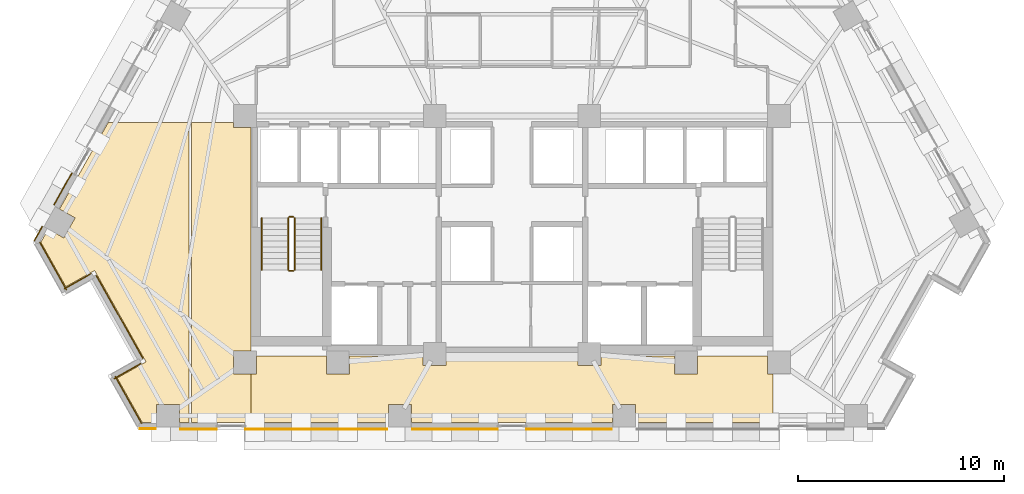
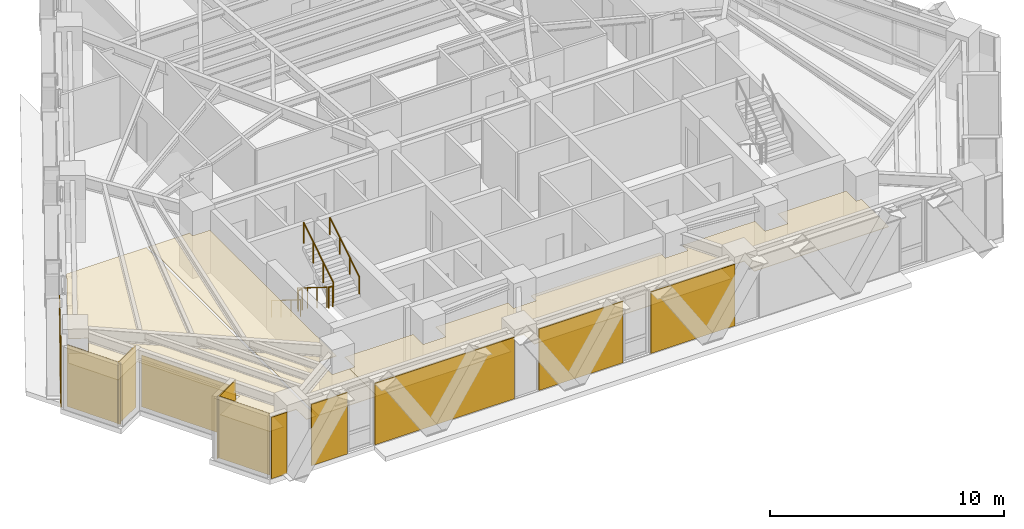
# One storey, part 10 of 13: 15 coverings, 6 railings.
"""IFC4 building model written with IfcOpenShell, lengths in metres."""

from ifc_helpers import new_model, si_unit, direction, frame, origin, origin_2d, place, context, subcontext, project, spatial, polyline, circle, outline, extrude, material, layer, layer_set, type_object, element, save


model = new_model("IFC4")

# Units and contexts
model_context = context("Model", 3, precision=1e-05, world=origin(), true_north=direction((0.0, 1.0)))
body_context = subcontext(model_context, "Body", "Model", "MODEL_VIEW")
ifc_project = project(units=[si_unit("LENGTHUNIT", "METRE"), si_unit("AREAUNIT", "SQUARE_METRE"), si_unit("VOLUMEUNIT", "CUBIC_METRE"), si_unit("PLANEANGLEUNIT", "RADIAN"), si_unit("MASSUNIT", "GRAM", prefix="KILO")], contexts=[model_context])

# Site, building, storey
site_placement = place(None, origin())
site = spatial("IfcSite", under=ifc_project, at=site_placement, CompositionType="ELEMENT")
building_placement = place(site_placement, origin())
building = spatial("IfcBuilding", under=site, at=building_placement, Name="Quenlor Broadcast Tower", CompositionType="ELEMENT")
storey_placement = place(building_placement, frame((0.0, 0.0, 76.60009765625)))
storey = spatial("IfcBuildingStorey", under=building, at=storey_placement, Name="L20", CompositionType="ELEMENT", Elevation=76.60009765625)

# Coverings
ifc_material_1 = material(Name="Acoustic Mineral Fibre Board", Category="other")
ifc_layer_1 = layer(ifc_material_1, 0.02490234375)
ifc_layer_set_1 = layer_set([ifc_layer_1], Name="Acoustic Perforated Mineral Tile Ceiling 25")
covering_type_1 = type_object("IfcCoveringType", Name="Acoustic Perforated Mineral Tile Ceiling 25", PredefinedType="CEILING", material=ifc_layer_set_1)
covering_1_placement = place(storey_placement, frame((0.0, 0.0, 2.224853515625)))
element("IfcCovering", 1, at=covering_1_placement, inside=storey, type_object=covering_type_1, Name="L20 Acoustic Ceiling L20-38-3", PredefinedType="CEILING", context=body_context, shape_type="SweptSolid", body=[
    extrude(outline(polyline([(-22.85693359375, -10.927978515625), (-22.49853515625, -10.290771484375), (-21.741943359375, -10.71630859375), (-21.19482421875, -9.74365234375), (-21.951416015625, -9.318115234375), (-19.58984375, -5.1201171875), (-15.659912109375, -5.1201171875), (-15.659912109375, -19.659912109375), (-16.134521484375, -19.659912109375), (-16.134521484375, -18.7919921875), (-17.25048828125, -18.7919921875), (-17.25048828125, -19.659912109375), (-17.9453125, -19.659912109375), (-19.15380859375, -17.510986328125), (-17.759521484375, -16.7265625), (-20.25, -12.299072265625), (-21.64453125, -13.08349609375), (-22.85693359375, -10.927978515625)])), origin(), (0.0, 0.0, 1.0), 0.025146484375),
])
covering_2_placement = place(storey_placement, frame((0.0, 0.0, 2.224853515625)))
element("IfcCovering", 2, at=covering_2_placement, inside=storey, type_object=covering_type_1, Name="L20 Acoustic Ceiling L20-38-4", PredefinedType="CEILING", context=body_context, shape_type="SweptSolid", body=[
    extrude(outline(polyline([(-13.508056640625, -5.35791015625), (-12.64990234375, -5.35791015625), (-12.64990234375, -16.19189453125), (-13.508056640625, -16.19189453125), (-13.508056640625, -17.30810546875), (-12.64990234375, -17.30810546875), (-12.64990234375, -19.659912109375), (-15.5400390625, -19.659912109375), (-15.5400390625, -5.1201171875), (-13.508056640625, -5.1201171875), (-13.508056640625, -5.35791015625)])), origin(), (0.0, 0.0, 1.0), 0.025146484375),
])
covering_3_placement = place(storey_placement, frame((0.0, 0.0, 2.224853515625)))
element("IfcCovering", 3, at=covering_3_placement, inside=storey, type_object=covering_type_1, Name="L20 Acoustic Ceiling L20-38-7", PredefinedType="CEILING", context=body_context, shape_type="SweptSolid", body=[
    extrude(outline(polyline([(-12.39208984375, -17.30810546875), (-12.39208984375, -16.449951171875), (-9.008056640625, -16.449951171875), (-9.008056640625, -17.30810546875), (-7.89208984375, -17.30810546875), (-7.89208984375, -16.449951171875), (-4.30810546875, -16.449951171875), (-4.30810546875, -16.907958984375), (-3.19189453125, -16.907958984375), (-3.19189453125, -16.449951171875), (3.19189453125, -16.449951171875), (3.19189453125, -16.907958984375), (4.30810546875, -16.907958984375), (4.30810546875, -16.449951171875), (7.89208984375, -16.449951171875), (7.89208984375, -17.30810546875), (9.008056640625, -17.30810546875), (9.008056640625, -16.449951171875), (12.39208984375, -16.449951171875), (12.39208984375, -17.30810546875), (12.64990234375, -17.30810546875), (12.64990234375, -19.659912109375), (6.001220703125, -19.659912109375), (6.001220703125, -18.7919921875), (4.88525390625, -18.7919921875), (4.88525390625, -19.659912109375), (-4.88525390625, -19.659912109375), (-4.88525390625, -18.7919921875), (-6.001220703125, -18.7919921875), (-6.001220703125, -19.659912109375), (-12.64990234375, -19.659912109375), (-12.64990234375, -17.30810546875), (-12.39208984375, -17.30810546875)])), origin(), (0.0, 0.0, 1.0), 0.025146484375),
])
ifc_material_2 = material(Name="Architectural Terracotta Ceramic", Category="masonry")
ifc_layer_2 = layer(ifc_material_2, 0.044921875)
ifc_layer_set_2 = layer_set([ifc_layer_2], Name="Fluted Terracotta Rainscreen Cladding Panel")
covering_type_2 = type_object("IfcCoveringType", Name="Fluted Terracotta Rainscreen Cladding Panel", PredefinedType="CLADDING", material=ifc_layer_set_2)
covering_4_placement = place(storey_placement, frame((0.0, 0.0, 0.02001953125)))
element("IfcCovering", 4, at=covering_4_placement, inside=storey, type_object=covering_type_2, Name="L20 Terracotta Rainscreen Cladding L20-SHD-SS1", PredefinedType="CLADDING", context=body_context, shape_type="SweptSolid", body=[
    extrude(outline(polyline([(-17.277587890625, -19.951904296875), (-18.053955078125, -19.951904296875), (-18.053955078125, -19.9970703125), (-17.277587890625, -19.9970703125), (-17.277587890625, -19.951904296875)])), origin(), (0.0, 0.0, 1.0), 3.2099609375),
])
covering_5_placement = place(storey_placement, frame((0.0, 0.0, 0.02001953125)))
element("IfcCovering", 5, at=covering_5_placement, inside=storey, type_object=covering_type_2, Name="L20 Terracotta Rainscreen Cladding L20-SC-SP1", PredefinedType="CLADDING", context=body_context, shape_type="SweptSolid", body=[
    extrude(outline(polyline([(-6.048095703125, -19.971923828125), (-12.94873046875, -19.971923828125), (-12.94873046875, -20.01708984375), (-6.048095703125, -20.01708984375), (-6.048095703125, -19.971923828125)])), origin(), (0.0, 0.0, 1.0), 3.2099609375),
])
covering_6_placement = place(storey_placement, frame((0.0, 0.0, 0.02001953125)))
element("IfcCovering", 6, at=covering_6_placement, inside=storey, type_object=covering_type_2, Name="L20 Terracotta Rainscreen Cladding L20-SC-SP2", PredefinedType="CLADDING", context=body_context, shape_type="SweptSolid", body=[
    extrude(outline(polyline([(-14.32177734375, -19.971923828125), (-16.08740234375, -19.971923828125), (-16.08740234375, -20.01708984375), (-14.32177734375, -20.01708984375), (-14.32177734375, -19.971923828125)])), origin(), (0.0, 0.0, 1.0), 3.2099609375),
])
covering_7_placement = place(storey_placement, frame((0.0, 0.0, 0.02001953125)))
element("IfcCovering", 7, at=covering_7_placement, inside=storey, type_object=covering_type_2, Name="L20 Terracotta Rainscreen Cladding L20-S-SP1", PredefinedType="CLADDING", context=body_context, shape_type="SweptSolid", body=[
    extrude(outline(polyline([(4.84326171875, -19.971923828125), (0.6865234375, -19.971923828125), (0.6865234375, -20.01708984375), (4.84326171875, -20.01708984375), (4.84326171875, -19.971923828125)])), origin(), (0.0, 0.0, 1.0), 3.2099609375),
])
covering_8_placement = place(storey_placement, frame((0.0, 0.0, 0.02001953125)))
element("IfcCovering", 8, at=covering_8_placement, inside=storey, type_object=covering_type_2, Name="L20 Terracotta Rainscreen Cladding L20-S-SP2", PredefinedType="CLADDING", context=body_context, shape_type="SweptSolid", body=[
    extrude(outline(polyline([(-0.6865234375, -19.971923828125), (-4.84326171875, -19.971923828125), (-4.84326171875, -20.01708984375), (-0.6865234375, -20.01708984375), (-0.6865234375, -19.971923828125)])), origin(), (0.0, 0.0, 1.0), 3.2099609375),
])
covering_9_placement = place(storey_placement, frame((0.0, 0.0, 0.02001953125)))
element("IfcCovering", 9, at=covering_9_placement, inside=storey, type_object=covering_type_2, Name="L20 Terracotta Rainscreen Cladding L20-SHD-NWS0", PredefinedType="CLADDING", context=body_context, shape_type="SweptSolid", body=[
    extrude(outline(polyline([(-23.160888671875, -10.873046875), (-22.76611328125, -10.171142578125), (-22.805419921875, -10.149169921875), (-23.2001953125, -10.85107421875), (-23.160888671875, -10.873046875)])), origin(), (0.0, 0.0, 1.0), 3.2099609375),
])
covering_10_placement = place(storey_placement, frame((0.0, 0.0, 0.02001953125)))
element("IfcCovering", 10, at=covering_10_placement, inside=storey, type_object=covering_type_2, Name="L20 Terracotta Rainscreen Cladding L20-NWA-SP1", PredefinedType="CLADDING", context=body_context, shape_type="SweptSolid", body=[
    extrude(outline(polyline([(-22.2001953125, -9.1240234375), (-21.325927734375, -7.56982421875), (-21.364990234375, -7.5478515625), (-22.239501953125, -9.10205078125), (-22.2001953125, -9.1240234375)])), origin(), (0.0, 0.0, 1.0), 3.2099609375),
])
covering_11_placement = place(storey_placement, frame((0.0, 0.0, 0.02001953125)))
element("IfcCovering", 11, at=covering_11_placement, inside=storey, type_object=covering_type_2, Name="L20 Terracotta Rainscreen Cladding L20-CNR-12", PredefinedType="CLADDING", context=body_context, shape_type="SweptSolid", body=[
    extrude(outline(polyline([(-22.931396484375, -10.93408203125), (-21.630126953125, -13.24755859375), (-21.591064453125, -13.2255859375), (-22.892333984375, -10.912109375), (-22.931396484375, -10.93408203125)])), origin(), (0.0, 0.0, 1.0), 3.2099609375),
])
covering_12_placement = place(storey_placement, frame((0.0, 0.0, 0.02001953125)))
element("IfcCovering", 12, at=covering_12_placement, inside=storey, type_object=covering_type_2, Name="L20 Terracotta Rainscreen Cladding L20-CNR-13", PredefinedType="CLADDING", context=body_context, shape_type="SweptSolid", body=[
    extrude(outline(polyline([(-21.70703125, -13.19677734375), (-20.399658203125, -12.461181640625), (-20.421630859375, -12.422119140625), (-21.72900390625, -13.157470703125), (-21.70703125, -13.19677734375)])), origin(), (0.0, 0.0, 1.0), 3.2099609375),
])
covering_13_placement = place(storey_placement, frame((0.0, 0.0, 0.02001953125)))
element("IfcCovering", 13, at=covering_13_placement, inside=storey, type_object=covering_type_2, Name="L20 Terracotta Rainscreen Cladding L20-CNR-14", PredefinedType="CLADDING", context=body_context, shape_type="SweptSolid", body=[
    extrude(outline(polyline([(-20.186767578125, -12.55029296875), (-17.921630859375, -16.576904296875), (-17.88232421875, -16.554931640625), (-20.1474609375, -12.5283203125), (-20.186767578125, -12.55029296875)])), origin(), (0.0, 0.0, 1.0), 2.681640625),
])
covering_14_placement = place(storey_placement, frame((0.0, 0.0, 0.02001953125)))
element("IfcCovering", 14, at=covering_14_placement, inside=storey, type_object=covering_type_2, Name="L20 Terracotta Rainscreen Cladding L20-CNR-15", PredefinedType="CLADDING", context=body_context, shape_type="SweptSolid", body=[
    extrude(outline(polyline([(-18.010498046875, -16.789794921875), (-19.31787109375, -17.525390625), (-19.2958984375, -17.564697265625), (-17.988525390625, -16.8291015625), (-18.010498046875, -16.789794921875)])), origin(), (0.0, 0.0, 1.0), 3.2099609375),
])
covering_15_placement = place(storey_placement, frame((0.0, 0.0, 0.02001953125)))
element("IfcCovering", 15, at=covering_15_placement, inside=storey, type_object=covering_type_2, Name="L20 Terracotta Rainscreen Cladding L20-CNR-16", PredefinedType="CLADDING", context=body_context, shape_type="SweptSolid", body=[
    extrude(outline(polyline([(-19.26708984375, -17.448486328125), (-17.987060546875, -19.72412109375), (-17.947998046875, -19.7021484375), (-19.227783203125, -17.426513671875), (-19.26708984375, -17.448486328125)])), origin(), (0.0, 0.0, 1.0), 3.2099609375),
])

# Railings
ifc_material_3 = material(Name="Anodised Aluminium", Category="aluminium")
railing_type_1 = type_object("IfcRailingType", Name="Stainless Aluminium Wall Handrail 900", PredefinedType="HANDRAIL", material=ifc_material_3)
railing_1_placement = place(storey_placement, frame((-12.14990234375, -9.75, 0.1748046875)))
element("IfcRailing", 16, at=railing_1_placement, inside=storey, type_object=railing_type_1, Name="L20 ST-1 stair handrail 1", PredefinedType="HANDRAIL", context=body_context, shape_type="SweptSolid", body=[
    extrude(circle(Radius=0.02392578125, at=origin_2d()), frame((0.0, 0.0, 0.8759765625), z_axis=(0.0, -0.847970611238, 0.530043245855), x_axis=(1.0, 0.0, 0.0)), (0.0, 0.0, 1.0), 2.971923828125),
    extrude(circle(Radius=0.02099609375, at=origin_2d()), origin(), (0.0, 0.0, 1.0), 0.851806640625),
    extrude(circle(Radius=0.02099609375, at=origin_2d()), frame((0.0, -0.840087890625, 0.525146484375)), (0.0, 0.0, 1.0), 0.851806640625),
    extrude(circle(Radius=0.02099609375, at=origin_2d()), frame((0.0, -1.679931640625, 1.050048828125)), (0.0, 0.0, 1.0), 0.851806640625),
    extrude(circle(Radius=0.02099609375, at=origin_2d()), frame((0.0, -2.52001953125, 1.5751953125)), (0.0, 0.0, 1.0), 0.851806640625),
])
railing_2_placement = place(storey_placement, frame((-9.25, -12.27001953125, 1.9248046875)))
element("IfcRailing", 17, at=railing_2_placement, inside=storey, type_object=railing_type_1, Name="L20 ST-1 stair handrail 2", PredefinedType="HANDRAIL", context=body_context, shape_type="SweptSolid", body=[
    extrude(circle(Radius=0.02392578125, at=origin_2d()), frame((0.0, 0.0, 0.8759765625), z_axis=(0.0, 0.847970611238, 0.530043245855), x_axis=(-1.0, 0.0, 0.0)), (0.0, 0.0, 1.0), 2.971923828125),
    extrude(circle(Radius=0.02099609375, at=origin_2d()), origin(), (0.0, 0.0, 1.0), 0.851806640625),
    extrude(circle(Radius=0.02099609375, at=origin_2d()), frame((0.0, 0.840087890625, 0.525146484375)), (0.0, 0.0, 1.0), 0.851806640625),
    extrude(circle(Radius=0.02099609375, at=origin_2d()), frame((0.0, 1.679931640625, 1.050048828125)), (0.0, 0.0, 1.0), 0.851806640625),
    extrude(circle(Radius=0.02099609375, at=origin_2d()), frame((0.0, 2.52001953125, 1.5751953125)), (0.0, 0.0, 1.0), 0.851806640625),
])
ifc_material_4 = material(Name="Steel S355", Category="steel")
railing_type_2 = type_object("IfcRailingType", Name="Tubular Steel S355 Stair Guardrail 1100", PredefinedType="BALUSTRADE", material=ifc_material_4)
railing_3_placement = place(storey_placement, frame((-10.85009765625, -9.75, 0.1748046875)))
element("IfcRailing", 18, at=railing_3_placement, inside=storey, type_object=railing_type_2, Name="L20 ST-1 stair guard 1", PredefinedType="BALUSTRADE", context=body_context, shape_type="SweptSolid", body=[
    extrude(circle(Radius=0.02392578125, at=origin_2d()), frame((0.0, 0.0, 1.076171875), z_axis=(0.0, -0.847970611238, 0.530043245855), x_axis=(1.0, 0.0, 0.0)), (0.0, 0.0, 1.0), 2.971923828125),
    extrude(circle(Radius=0.02099609375, at=origin_2d()), origin(), (0.0, 0.0, 1.0), 1.052001953125),
    extrude(circle(Radius=0.02099609375, at=origin_2d()), frame((0.0, -0.840087890625, 0.525146484375)), (0.0, 0.0, 1.0), 1.052001953125),
    extrude(circle(Radius=0.02099609375, at=origin_2d()), frame((0.0, -1.679931640625, 1.050048828125)), (0.0, 0.0, 1.0), 1.052001953125),
    extrude(circle(Radius=0.02099609375, at=origin_2d()), frame((0.0, -2.52001953125, 1.5751953125)), (0.0, 0.0, 1.0), 1.052001953125),
])
railing_4_placement = place(storey_placement, frame((-10.800048828125, -12.320068359375, 1.75)))
element("IfcRailing", 19, at=railing_4_placement, inside=storey, type_object=railing_type_2, Name="L20 ST-1 stair guard 2", PredefinedType="BALUSTRADE", context=body_context, shape_type="SweptSolid", body=[
    extrude(circle(Radius=0.02392578125, at=origin_2d()), frame((0.0, 0.0, 1.076171875), z_axis=(1.0, 0.0, 0.0), x_axis=(0.0, 1.0, 0.0)), (0.0, 0.0, 1.0), 0.199951171875),
    extrude(circle(Radius=0.02099609375, at=origin_2d()), origin(), (0.0, 0.0, 1.0), 1.052001953125),
    extrude(circle(Radius=0.02099609375, at=origin_2d()), frame((0.199951171875, 0.0, 0.0)), (0.0, 0.0, 1.0), 1.052001953125),
])
railing_5_placement = place(storey_placement, frame((-10.550048828125, -12.27001953125, 1.9248046875)))
element("IfcRailing", 20, at=railing_5_placement, inside=storey, type_object=railing_type_2, Name="L20 ST-1 stair guard 3", PredefinedType="BALUSTRADE", context=body_context, shape_type="SweptSolid", body=[
    extrude(circle(Radius=0.02392578125, at=origin_2d()), frame((0.0, 0.0, 1.076171875), z_axis=(0.0, 0.847970611238, 0.530043245855), x_axis=(-1.0, 0.0, 0.0)), (0.0, 0.0, 1.0), 2.971923828125),
    extrude(circle(Radius=0.02099609375, at=origin_2d()), origin(), (0.0, 0.0, 1.0), 1.052001953125),
    extrude(circle(Radius=0.02099609375, at=origin_2d()), frame((0.0, 0.840087890625, 0.525146484375)), (0.0, 0.0, 1.0), 1.052001953125),
    extrude(circle(Radius=0.02099609375, at=origin_2d()), frame((0.0, 1.679931640625, 1.050048828125)), (0.0, 0.0, 1.0), 1.052001953125),
    extrude(circle(Radius=0.02099609375, at=origin_2d()), frame((0.0, 2.52001953125, 1.5751953125)), (0.0, 0.0, 1.0), 1.052001953125),
])
railing_6_placement = place(storey_placement, frame((-10.800048828125, -9.699951171875, 0.0)))
element("IfcRailing", 21, at=railing_6_placement, inside=storey, type_object=railing_type_2, Name="L20 ST-1 stair guard 4", PredefinedType="BALUSTRADE", context=body_context, shape_type="SweptSolid", body=[
    extrude(circle(Radius=0.02392578125, at=origin_2d()), frame((0.0, 0.0, 1.076171875), z_axis=(1.0, 0.0, 0.0), x_axis=(0.0, 1.0, 0.0)), (0.0, 0.0, 1.0), 0.199951171875),
    extrude(circle(Radius=0.02099609375, at=origin_2d()), origin(), (0.0, 0.0, 1.0), 1.052001953125),
    extrude(circle(Radius=0.02099609375, at=origin_2d()), frame((0.199951171875, 0.0, 0.0)), (0.0, 0.0, 1.0), 1.052001953125),
])

save(model, "model.ifc")
